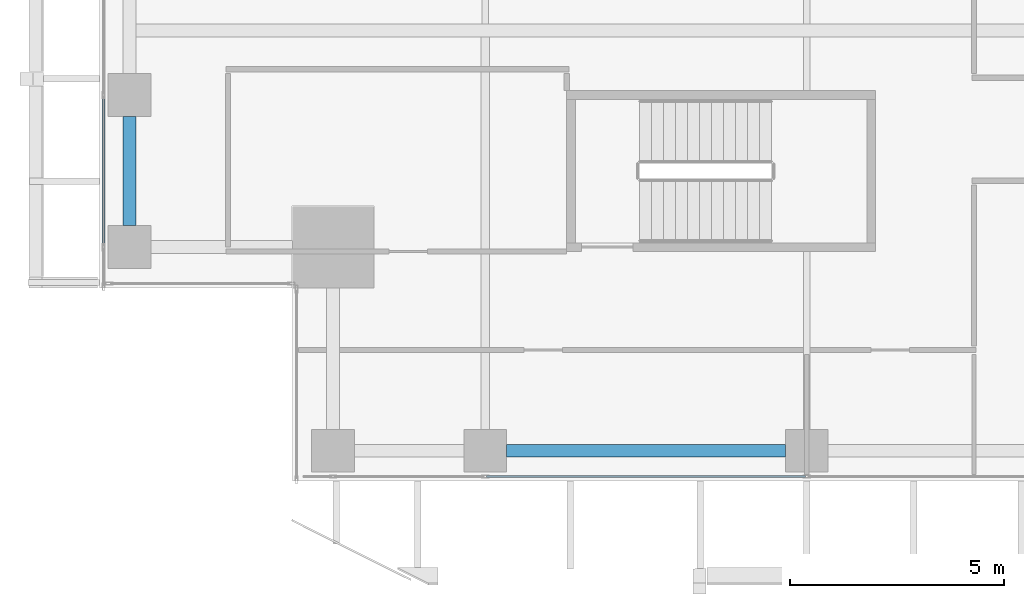
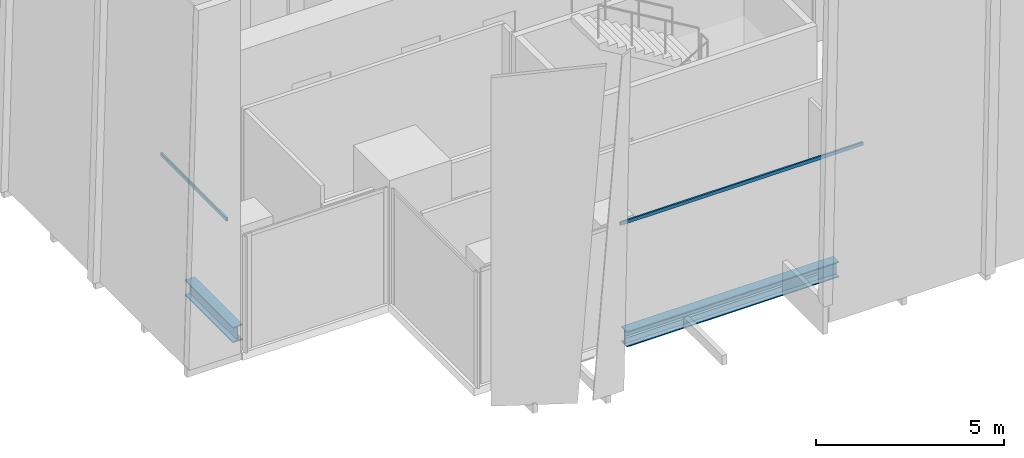
# One storey, part 3 of 35: 2 beams, 2 members, 2 elements without a shape of their own.
"""IFC4 building model written with IfcOpenShell, lengths in metres."""

from ifc_helpers import new_model, si_unit, direction, frame, origin, origin_2d, place, context, subcontext, project, spatial, hollow_rectangle, i_section, extrude, source, transform, mapped, material, material_profile, profile_set, type_object, element, aggregate, save


model = new_model("IFC4")

# Units and contexts
model_context = context("Model", 3, precision=1e-05, world=origin(), true_north=direction((0.0, 1.0)))
body_context = subcontext(model_context, "Body", "Model", "MODEL_VIEW")
ifc_project = project(units=[si_unit("LENGTHUNIT", "METRE"), si_unit("AREAUNIT", "SQUARE_METRE"), si_unit("VOLUMEUNIT", "CUBIC_METRE"), si_unit("PLANEANGLEUNIT", "RADIAN"), si_unit("MASSUNIT", "GRAM", prefix="KILO")], contexts=[model_context])

# Site, building, storey
site_placement = place(None, origin())
site = spatial("IfcSite", under=ifc_project, at=site_placement, CompositionType="ELEMENT")
building_placement = place(site_placement, origin())
building = spatial("IfcBuilding", under=site, at=building_placement, Name="Khomas Fold Tower", CompositionType="ELEMENT")
storey_placement = place(building_placement, frame((0.0, 0.0, 200.699951171875)))
storey = spatial("IfcBuildingStorey", under=building, at=storey_placement, Name="L44", CompositionType="ELEMENT", Elevation=200.699951171875)

# Beams
ifc_material_1 = material(Name="Steel S355", Category="steel")
ifc_material_profile_1 = material_profile(ifc_material_1, i_section(OverallWidth=0.300048828125, OverallDepth=0.5, WebThickness=0.014404296875, FlangeThickness=0.028076171875, at=origin_2d()), Name="HE 500 B")
ifc_profile_set_1 = profile_set([ifc_material_profile_1], Name="Steel S355")
beam_type = type_object("IfcBeamType", Name="HE 500 B spandrel SB3", PredefinedType="SPANDREL", material=ifc_profile_set_1)
shared_shape_1 = source(origin(), body_context, "Body", "SweptSolid", [
    extrude(i_section(OverallWidth=0.300048828125, OverallDepth=0.5, WebThickness=0.014404296875, FlangeThickness=0.028076171875, at=origin_2d()), origin(), (0.0, 0.0, 1.0), 2.550048828125),
])
beam_1_placement = place(storey_placement, frame((3.699951171875, 8.949951171875, -0.5), z_axis=(0.0, 1.0, 0.0), x_axis=(-1.0, 0.0, 0.0)))
element("IfcBeam", 1, at=beam_1_placement, inside=storey, type_object=beam_type, Name="SB3", PredefinedType="SPANDREL", context=body_context, shape_type="MappedRepresentation", body=[
    mapped(shared_shape_1, transform((0.0, 0.0, 0.0))),
])
shared_shape_2 = source(origin(), body_context, "Body", "SweptSolid", [
    extrude(i_section(OverallWidth=0.300048828125, OverallDepth=0.5, WebThickness=0.014404296875, FlangeThickness=0.028076171875, at=origin_2d()), origin(), (0.0, 0.0, 1.0), 6.5),
])
beam_2_placement = place(storey_placement, frame((12.5, 3.699951171875, -0.5), z_axis=(1.0, 0.0, 0.0), x_axis=(0.0, 1.0, 0.0)))
element("IfcBeam", 2, at=beam_2_placement, inside=storey, type_object=beam_type, Name="SB3", PredefinedType="SPANDREL", context=body_context, shape_type="MappedRepresentation", body=[
    mapped(shared_shape_2, transform((0.0, 0.0, 0.0))),
])

# Curtain wall, member
ifc_material_2 = material(Name="Aluminium framed double glazing", Category="aluminium")
curtain_wall_type = type_object("IfcCurtainWallType", Name="SK-Unitised clear-glass wall, office floors CW2", PredefinedType="NOTDEFINED", material=ifc_material_2)
curtain_wall_1_placement = place(storey_placement, origin())
curtain_wall_1 = element("IfcCurtainWall", 3, at=curtain_wall_1_placement, inside=storey, type_object=curtain_wall_type, Name="CW2 run L44 09-0", PredefinedType="NOTDEFINED")
ifc_material_3 = material(Name="Aluminium", Category="aluminium")
ifc_material_profile_2 = material_profile(ifc_material_3, hollow_rectangle(XDim=0.050048828125, YDim=0.110107421875, WallThickness=0.00390625, at=origin_2d()), Name="SK-Unitised clear-glass wall, office floors transom CW2-T")
ifc_profile_set_2 = profile_set([ifc_material_profile_2], Name="Aluminium")
member_type = type_object("IfcMemberType", Name="SK-Unitised clear-glass wall, office floors transom CW2-T", PredefinedType="USERDEFINED", material=ifc_profile_set_2)
shared_shape_3 = source(origin(), body_context, "Body", "SweptSolid", [
    extrude(hollow_rectangle(XDim=0.050048828125, YDim=0.110107421875, WallThickness=0.00390625, at=origin_2d()), origin(), (0.0, 0.0, 1.0), 3.489990234375),
])
member_1_placement = place(storey_placement, frame((3.10009765625, 11.969970703125, 3.695068359375), z_axis=(0.0, -1.0, 0.0), x_axis=(1.0, 0.0, 0.0)))
member_1 = element("IfcMember", 4, at=member_1_placement, type_object=member_type, Name="CW2 transom 7", ObjectType="TRANSOM", PredefinedType="USERDEFINED", context=body_context, shape_type="MappedRepresentation", body=[
    mapped(shared_shape_3, transform((0.0, 0.0, 0.0))),
])
aggregate(curtain_wall_1, [member_1])

curtain_wall_2_placement = place(storey_placement, origin())
curtain_wall_2 = element("IfcCurtainWall", 5, at=curtain_wall_2_placement, inside=storey, type_object=curtain_wall_type, Name="CW2 run L44 00-0", PredefinedType="NOTDEFINED")
shared_shape_4 = source(origin(), body_context, "Body", "SweptSolid", [
    extrude(hollow_rectangle(XDim=0.050048828125, YDim=0.110107421875, WallThickness=0.00390625, at=origin_2d()), origin(), (0.0, 0.0, 1.0), 7.43994140625),
])
member_2_placement = place(storey_placement, frame((12.030029296875, 3.10009765625, 3.695068359375), z_axis=(1.0, 0.0, 0.0), x_axis=(0.0, 1.0, 0.0)))
member_2 = element("IfcMember", 6, at=member_2_placement, type_object=member_type, Name="CW2 transom 3", ObjectType="TRANSOM", PredefinedType="USERDEFINED", context=body_context, shape_type="MappedRepresentation", body=[
    mapped(shared_shape_4, transform((0.0, 0.0, 0.0))),
])
aggregate(curtain_wall_2, [member_2])

save(model, "model.ifc")
